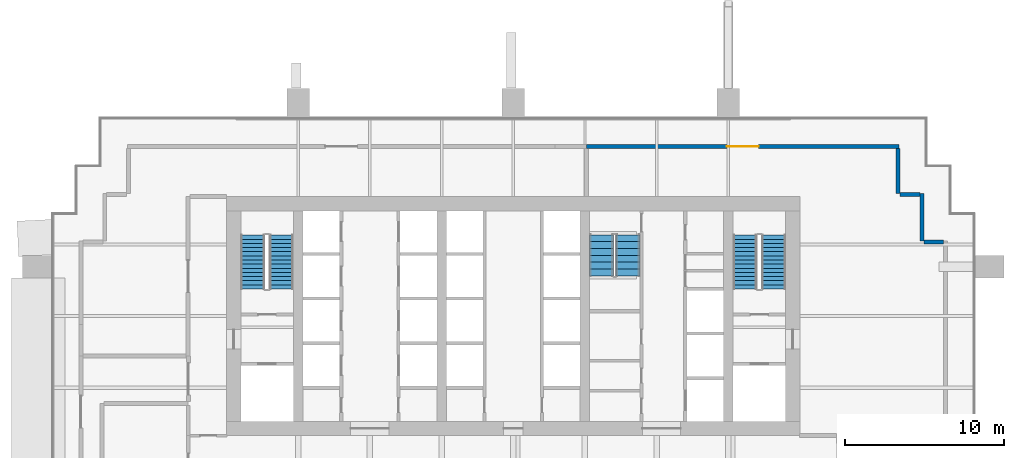
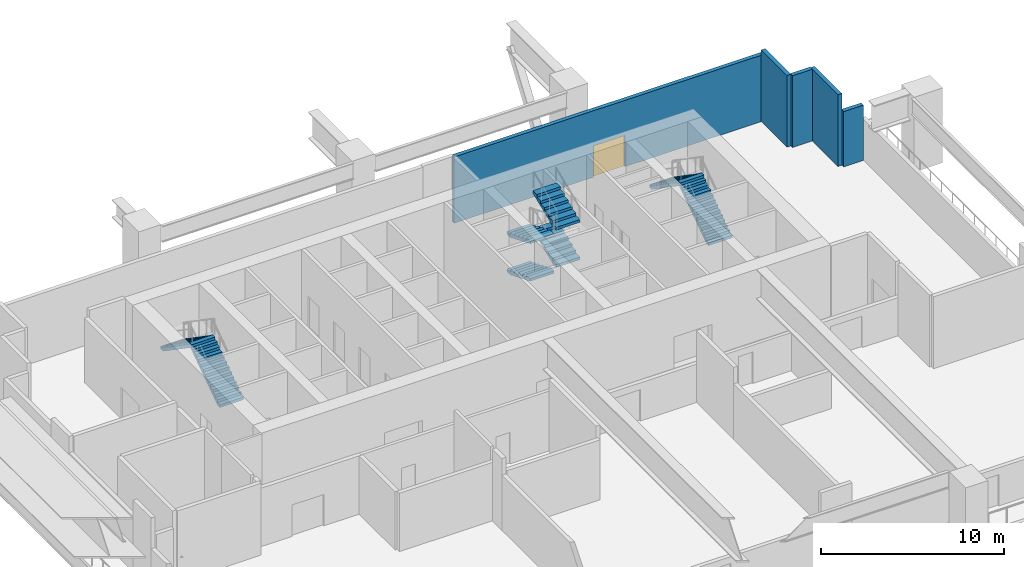
# One storey, part 5 of 9: 8 stair flights, 5 walls, 1 door, 1 opening, 3 elements without a shape of their own.
"""IFC4 building model written with IfcOpenShell, lengths in metres."""

from ifc_helpers import new_model, si_unit, direction, frame, frame_2d, origin, place, context, subcontext, project, spatial, polyline, rectangle, outline, extrude, material, layer, layer_set, type_object, element, fill, aggregate, save


model = new_model("IFC4")

# Units and contexts
model_context = context("Model", 3, precision=1e-05, world=origin(), true_north=direction((0.0, 1.0)))
body_context = subcontext(model_context, "Body", "Model", "MODEL_VIEW")
ifc_project = project(units=[si_unit("LENGTHUNIT", "METRE"), si_unit("AREAUNIT", "SQUARE_METRE"), si_unit("VOLUMEUNIT", "CUBIC_METRE"), si_unit("PLANEANGLEUNIT", "RADIAN"), si_unit("MASSUNIT", "GRAM", prefix="KILO")], contexts=[model_context])

# Site, building, storey
site_placement = place(None, origin())
site = spatial("IfcSite", under=ifc_project, at=site_placement, CompositionType="ELEMENT")
building_placement = place(site_placement, origin())
building = spatial("IfcBuilding", under=site, at=building_placement, Name="Rattan Terrace Tower", CompositionType="ELEMENT")
storey_placement = place(building_placement, frame((0.0, 0.0, 158.10009765625)))
storey = spatial("IfcBuildingStorey", under=building, at=storey_placement, Name="L36", CompositionType="ELEMENT", Elevation=158.10009765625)

# Wall, opening, door
ifc_material_1 = material(Name="Reinforced concrete wall, painted", Category="concrete")
ifc_layer = layer(ifc_material_1, 0.25)
ifc_layer_set = layer_set([ifc_layer], Name="Floors Refuge Wall 250")
wall_type = type_object("IfcWallType", Name="Floors Refuge Wall 250", PredefinedType="PARTITIONING", material=ifc_layer_set)
wall_1_placement = place(storey_placement, frame((24.199951171875, 10.638916015625, 0.0), z_axis=(0.0, 0.0, 1.0), x_axis=(-1.0, 0.0, 0.0)))
wall_1 = element("IfcWall", 1, at=wall_1_placement, inside=storey, type_object=wall_type, Name="pt-L36-061", PredefinedType="PARTITIONING", context=body_context, shape_type="SweptSolid", body=[
    extrude(rectangle(XDim=19.599853515625, YDim=0.25, at=frame_2d((9.7998046875, 0.0))), origin(), (0.0, 0.0, 1.0), 4.43994140625),
])
opening_placement = place(wall_1_placement, frame((8.800048828125, 0.0, 0.0)))
opening = element("IfcOpeningElement", 2, at=opening_placement, cuts=wall_1, Name="Opening L36-D116", PredefinedType="OPENING", context=body_context, shape_type="SweptSolid", body=[
    extrude(rectangle(XDim=2.0, YDim=2.10009765625, at=frame_2d((1.0, 1.050048828125))), frame((0.0, 0.135498046875, 0.0), z_axis=(0.0, -1.0, 0.0), x_axis=(1.0, 0.0, 0.0)), (0.0, 0.0, 1.0), 0.27099609375),
])
ifc_material_2 = material(Name="Steel fire door set", Category="steel")
door_type = type_object("IfcDoorType", Name="Floors Plant Equipment Door Pair FD120 2000x2100", OperationType="NOTDEFINED", PredefinedType="DOOR", material=ifc_material_2)
door_placement = place(opening_placement, origin())
door = element("IfcDoor", 3, at=door_placement, inside=storey, type_object=door_type, Name="d-L36-116", OperationType="DOUBLE_DOOR_SINGLE_SWING", OverallHeight=2.10009765625, OverallWidth=2.0, PredefinedType="DOOR", context=body_context, shape_type="SweptSolid", body=[
    extrude(rectangle(XDim=2.0, YDim=2.10009765625, at=frame_2d((1.0, 1.050048828125))), frame((0.0, 0.02490234375, 0.0), z_axis=(0.0, -1.0, 0.0), x_axis=(1.0, 0.0, 0.0)), (0.0, 0.0, 1.0), 0.050048828125),
])
fill(opening, door)

# Walls
wall_2_placement = place(storey_placement, frame((24.138916015625, 10.513916015625, 0.0), z_axis=(0.0, 0.0, 1.0), x_axis=(0.0, -1.0, 0.0)))
element("IfcWall", 4, at=wall_2_placement, inside=storey, type_object=wall_type, Name="pt-L36-062", PredefinedType="PARTITIONING", context=body_context, shape_type="SweptSolid", body=[
    extrude(rectangle(XDim=2.81396484375, YDim=0.25, at=frame_2d((1.406982421875, 0.0))), origin(), (0.0, 0.0, 1.0), 4.7998046875),
])
wall_3_placement = place(storey_placement, frame((24.263916015625, 7.638916015625, 0.0), z_axis=(0.0, 0.0, 1.0), x_axis=(1.0, 0.0, 0.0)))
element("IfcWall", 5, at=wall_3_placement, inside=storey, type_object=wall_type, Name="pt-L36-063", PredefinedType="PARTITIONING", context=body_context, shape_type="SweptSolid", body=[
    extrude(rectangle(XDim=1.25, YDim=0.25, at=frame_2d((0.625, 0.0))), origin(), (0.0, 0.0, 1.0), 4.7998046875),
])
wall_4_placement = place(storey_placement, frame((25.638916015625, 7.699951171875, 0.0), z_axis=(0.0, 0.0, 1.0), x_axis=(0.0, -1.0, 0.0)))
element("IfcWall", 6, at=wall_4_placement, inside=storey, type_object=wall_type, Name="pt-L36-064", PredefinedType="PARTITIONING", context=body_context, shape_type="SweptSolid", body=[
    extrude(rectangle(XDim=3.0, YDim=0.25, at=frame_2d((1.5, 0.0))), origin(), (0.0, 0.0, 1.0), 4.7998046875),
])
wall_5_placement = place(storey_placement, frame((25.763916015625, 4.638916015625, 0.0), z_axis=(0.0, 0.0, 1.0), x_axis=(1.0, 0.0, 0.0)))
element("IfcWall", 7, at=wall_5_placement, inside=storey, type_object=wall_type, Name="pt-L36-065", PredefinedType="PARTITIONING", context=body_context, shape_type="SweptSolid", body=[
    extrude(rectangle(XDim=1.2490234375, YDim=0.25, at=frame_2d((0.62451171875, 0.0))), origin(), (0.0, 0.0, 1.0), 3.699951171875),
])

# Stair, stair flights
ifc_material_3 = material(Name="Concrete C40/50", Category="concrete")
stair_type = type_object("IfcStairType", Name="Core exit stair 1500", PredefinedType="HALF_TURN_STAIR", material=ifc_material_3)
stair_1_placement = place(storey_placement, origin())
stair_1 = element("IfcStair", 8, at=stair_1_placement, inside=storey, type_object=stair_type, Name="L36 exit stair 1", PredefinedType="HALF_TURN_STAIR")
ifc_material_4 = material(Name="Concrete C40/50", Category="concrete")
stair_flight_type = type_object("IfcStairFlightType", Name="Core exit stair flight 1500", PredefinedType="STRAIGHT", material=ifc_material_4)
stair_flight_1_placement = place(storey_placement, frame((-14.550048828125, 1.699951171875, 0.0), z_axis=(0.0, 0.0, 1.0), x_axis=(0.0, 1.0, 0.0)))
stair_flight_1 = element("IfcStairFlight", 9, at=stair_flight_1_placement, type_object=stair_flight_type, Name="S1 flight 1", NumberOfRisers=14, NumberOfTreads=13, PredefinedType="STRAIGHT", RiserHeight=0.178571429, TreadLength=0.26, context=body_context, shape_type="SweptSolid", body=[
    extrude(outline(polyline([(0.0, 0.0), (0.0, 0.178466796875), (0.260009765625, 0.178466796875), (0.260009765625, 0.357177734375), (0.52001953125, 0.357177734375), (0.52001953125, 0.53564453125), (0.780029296875, 0.53564453125), (0.780029296875, 0.71435546875), (1.0400390625, 0.71435546875), (1.0400390625, 0.892822265625), (1.300048828125, 0.892822265625), (1.300048828125, 1.071533203125), (1.56005859375, 1.071533203125), (1.56005859375, 1.25), (1.820068359375, 1.25), (1.820068359375, 1.428466796875), (2.080078125, 1.428466796875), (2.080078125, 1.607177734375), (2.340087890625, 1.607177734375), (2.340087890625, 1.78564453125), (2.60009765625, 1.78564453125), (2.60009765625, 1.96435546875), (2.860107421875, 1.96435546875), (2.860107421875, 2.142822265625), (3.1201171875, 2.142822265625), (3.1201171875, 2.321533203125), (3.3798828125, 2.321533203125), (3.3798828125, 2.5), (3.3798828125, 2.1396484375), (0.264892578125, 0.0), (0.0, 0.0)])), frame((0.0, 0.75, 0.0), z_axis=(0.0, -1.0, 0.0), x_axis=(1.0, 0.0, 0.0)), (0.0, 0.0, 1.0), 1.5),
])
stair_flight_2_placement = place(storey_placement, frame((-16.35009765625, 5.080078125, 2.5), z_axis=(0.0, 0.0, 1.0), x_axis=(0.0, -1.0, 0.0)))
stair_flight_2 = element("IfcStairFlight", 10, at=stair_flight_2_placement, type_object=stair_flight_type, Name="S1 flight 2", NumberOfRisers=14, NumberOfTreads=13, PredefinedType="STRAIGHT", RiserHeight=0.178571429, TreadLength=0.26, context=body_context, shape_type="SweptSolid", body=[
    extrude(outline(polyline([(0.0, 0.0), (0.0, 0.178466796875), (0.260009765625, 0.178466796875), (0.260009765625, 0.357177734375), (0.52001953125, 0.357177734375), (0.52001953125, 0.53564453125), (0.780029296875, 0.53564453125), (0.780029296875, 0.71435546875), (1.0400390625, 0.71435546875), (1.0400390625, 0.892822265625), (1.300048828125, 0.892822265625), (1.300048828125, 1.071533203125), (1.56005859375, 1.071533203125), (1.56005859375, 1.25), (1.820068359375, 1.25), (1.820068359375, 1.428466796875), (2.080078125, 1.428466796875), (2.080078125, 1.607177734375), (2.340087890625, 1.607177734375), (2.340087890625, 1.78564453125), (2.60009765625, 1.78564453125), (2.60009765625, 1.96435546875), (2.860107421875, 1.96435546875), (2.860107421875, 2.142822265625), (3.1201171875, 2.142822265625), (3.1201171875, 2.321533203125), (3.3798828125, 2.321533203125), (3.3798828125, 2.5), (3.3798828125, 2.1396484375), (0.264892578125, 0.0), (0.0, 0.0)])), frame((0.0, 0.75, 0.0), z_axis=(0.0, -1.0, 0.0), x_axis=(1.0, 0.0, 0.0)), (0.0, 0.0, 1.0), 1.5),
])
aggregate(stair_1, [stair_flight_1, stair_flight_2])

stair_2_placement = place(storey_placement, origin())
stair_2 = element("IfcStair", 11, at=stair_2_placement, inside=storey, type_object=stair_type, Name="L36 exit stair 2", PredefinedType="HALF_TURN_STAIR")
stair_flight_3_placement = place(storey_placement, frame((16.35009765625, 1.699951171875, 0.0), z_axis=(0.0, 0.0, 1.0), x_axis=(0.0, 1.0, 0.0)))
stair_flight_3 = element("IfcStairFlight", 12, at=stair_flight_3_placement, type_object=stair_flight_type, Name="S2 flight 1", NumberOfRisers=14, NumberOfTreads=13, PredefinedType="STRAIGHT", RiserHeight=0.178571429, TreadLength=0.26, context=body_context, shape_type="SweptSolid", body=[
    extrude(outline(polyline([(0.0, 0.0), (0.0, 0.178466796875), (0.260009765625, 0.178466796875), (0.260009765625, 0.357177734375), (0.52001953125, 0.357177734375), (0.52001953125, 0.53564453125), (0.780029296875, 0.53564453125), (0.780029296875, 0.71435546875), (1.0400390625, 0.71435546875), (1.0400390625, 0.892822265625), (1.300048828125, 0.892822265625), (1.300048828125, 1.071533203125), (1.56005859375, 1.071533203125), (1.56005859375, 1.25), (1.820068359375, 1.25), (1.820068359375, 1.428466796875), (2.080078125, 1.428466796875), (2.080078125, 1.607177734375), (2.340087890625, 1.607177734375), (2.340087890625, 1.78564453125), (2.60009765625, 1.78564453125), (2.60009765625, 1.96435546875), (2.860107421875, 1.96435546875), (2.860107421875, 2.142822265625), (3.1201171875, 2.142822265625), (3.1201171875, 2.321533203125), (3.3798828125, 2.321533203125), (3.3798828125, 2.5), (3.3798828125, 2.1396484375), (0.264892578125, 0.0), (0.0, 0.0)])), frame((0.0, 0.75, 0.0), z_axis=(0.0, -1.0, 0.0), x_axis=(1.0, 0.0, 0.0)), (0.0, 0.0, 1.0), 1.5),
])
stair_flight_4_placement = place(storey_placement, frame((14.550048828125, 5.080078125, 2.5), z_axis=(0.0, 0.0, 1.0), x_axis=(0.0, -1.0, 0.0)))
stair_flight_4 = element("IfcStairFlight", 13, at=stair_flight_4_placement, type_object=stair_flight_type, Name="S2 flight 2", NumberOfRisers=14, NumberOfTreads=13, PredefinedType="STRAIGHT", RiserHeight=0.178571429, TreadLength=0.26, context=body_context, shape_type="SweptSolid", body=[
    extrude(outline(polyline([(0.0, 0.0), (0.0, 0.178466796875), (0.260009765625, 0.178466796875), (0.260009765625, 0.357177734375), (0.52001953125, 0.357177734375), (0.52001953125, 0.53564453125), (0.780029296875, 0.53564453125), (0.780029296875, 0.71435546875), (1.0400390625, 0.71435546875), (1.0400390625, 0.892822265625), (1.300048828125, 0.892822265625), (1.300048828125, 1.071533203125), (1.56005859375, 1.071533203125), (1.56005859375, 1.25), (1.820068359375, 1.25), (1.820068359375, 1.428466796875), (2.080078125, 1.428466796875), (2.080078125, 1.607177734375), (2.340087890625, 1.607177734375), (2.340087890625, 1.78564453125), (2.60009765625, 1.78564453125), (2.60009765625, 1.96435546875), (2.860107421875, 1.96435546875), (2.860107421875, 2.142822265625), (3.1201171875, 2.142822265625), (3.1201171875, 2.321533203125), (3.3798828125, 2.321533203125), (3.3798828125, 2.5), (3.3798828125, 2.1396484375), (0.264892578125, 0.0), (0.0, 0.0)])), frame((0.0, 0.75, 0.0), z_axis=(0.0, -1.0, 0.0), x_axis=(1.0, 0.0, 0.0)), (0.0, 0.0, 1.0), 1.5),
])
aggregate(stair_2, [stair_flight_3, stair_flight_4])

stair_3_placement = place(storey_placement, origin())
stair_3 = element("IfcStair", 14, at=stair_3_placement, inside=storey, type_object=stair_type, Name="L36 exit stair 3", PredefinedType="HALF_TURN_STAIR")
stair_flight_5_placement = place(storey_placement, frame((5.550048828125, 5.10009765625, 0.0), z_axis=(0.0, 0.0, 1.0), x_axis=(0.0, -1.0, 0.0)))
stair_flight_5 = element("IfcStairFlight", 15, at=stair_flight_5_placement, type_object=stair_flight_type, Name="S3 flight 1", NumberOfRisers=7, NumberOfTreads=6, PredefinedType="STRAIGHT", RiserHeight=0.178571429, TreadLength=0.43, context=body_context, shape_type="SweptSolid", body=[
    extrude(outline(polyline([(0.0, 0.0), (0.0, 0.178466796875), (0.429931640625, 0.178466796875), (0.429931640625, 0.357177734375), (0.860107421875, 0.357177734375), (0.860107421875, 0.53564453125), (1.2900390625, 0.53564453125), (1.2900390625, 0.71435546875), (1.719970703125, 0.71435546875), (1.719970703125, 0.892822265625), (2.14990234375, 0.892822265625), (2.14990234375, 1.071533203125), (2.580078125, 1.071533203125), (2.580078125, 1.25), (2.580078125, 0.9091796875), (0.390869140625, 0.0), (0.0, 0.0)])), frame((0.0, 0.75, 0.0), z_axis=(0.0, -1.0, 0.0), x_axis=(1.0, 0.0, 0.0)), (0.0, 0.0, 1.0), 1.5),
])
stair_flight_6_placement = place(storey_placement, frame((7.199951171875, 2.52001953125, 1.25), z_axis=(0.0, 0.0, 1.0), x_axis=(0.0, 1.0, 0.0)))
stair_flight_6 = element("IfcStairFlight", 16, at=stair_flight_6_placement, type_object=stair_flight_type, Name="S3 flight 2", NumberOfRisers=7, NumberOfTreads=6, PredefinedType="STRAIGHT", RiserHeight=0.178571429, TreadLength=0.43, context=body_context, shape_type="SweptSolid", body=[
    extrude(outline(polyline([(0.0, 0.0), (0.0, 0.178466796875), (0.429931640625, 0.178466796875), (0.429931640625, 0.357177734375), (0.860107421875, 0.357177734375), (0.860107421875, 0.53564453125), (1.2900390625, 0.53564453125), (1.2900390625, 0.71435546875), (1.719970703125, 0.71435546875), (1.719970703125, 0.892822265625), (2.14990234375, 0.892822265625), (2.14990234375, 1.071533203125), (2.580078125, 1.071533203125), (2.580078125, 1.25), (2.580078125, 0.9091796875), (0.390869140625, 0.0), (0.0, 0.0)])), frame((0.0, 0.75, 0.0), z_axis=(0.0, -1.0, 0.0), x_axis=(1.0, 0.0, 0.0)), (0.0, 0.0, 1.0), 1.5),
])
stair_flight_7_placement = place(storey_placement, frame((5.550048828125, 5.10009765625, 2.5), z_axis=(0.0, 0.0, 1.0), x_axis=(0.0, -1.0, 0.0)))
stair_flight_7 = element("IfcStairFlight", 17, at=stair_flight_7_placement, type_object=stair_flight_type, Name="S3 flight 3", NumberOfRisers=7, NumberOfTreads=6, PredefinedType="STRAIGHT", RiserHeight=0.178571429, TreadLength=0.43, context=body_context, shape_type="SweptSolid", body=[
    extrude(outline(polyline([(0.0, 0.0), (0.0, 0.178466796875), (0.429931640625, 0.178466796875), (0.429931640625, 0.357177734375), (0.860107421875, 0.357177734375), (0.860107421875, 0.53564453125), (1.2900390625, 0.53564453125), (1.2900390625, 0.71435546875), (1.719970703125, 0.71435546875), (1.719970703125, 0.892822265625), (2.14990234375, 0.892822265625), (2.14990234375, 1.071533203125), (2.580078125, 1.071533203125), (2.580078125, 1.25), (2.580078125, 0.9091796875), (0.390869140625, 0.0), (0.0, 0.0)])), frame((0.0, 0.75, 0.0), z_axis=(0.0, -1.0, 0.0), x_axis=(1.0, 0.0, 0.0)), (0.0, 0.0, 1.0), 1.5),
])
stair_flight_8_placement = place(storey_placement, frame((7.199951171875, 2.52001953125, 3.75), z_axis=(0.0, 0.0, 1.0), x_axis=(0.0, 1.0, 0.0)))
stair_flight_8 = element("IfcStairFlight", 18, at=stair_flight_8_placement, type_object=stair_flight_type, Name="S3 flight 4", NumberOfRisers=7, NumberOfTreads=6, PredefinedType="STRAIGHT", RiserHeight=0.178571429, TreadLength=0.43, context=body_context, shape_type="SweptSolid", body=[
    extrude(outline(polyline([(0.0, 0.0), (0.0, 0.178466796875), (0.429931640625, 0.178466796875), (0.429931640625, 0.357177734375), (0.860107421875, 0.357177734375), (0.860107421875, 0.53564453125), (1.2900390625, 0.53564453125), (1.2900390625, 0.71435546875), (1.719970703125, 0.71435546875), (1.719970703125, 0.892822265625), (2.14990234375, 0.892822265625), (2.14990234375, 1.071533203125), (2.580078125, 1.071533203125), (2.580078125, 1.25), (2.580078125, 0.9091796875), (0.390869140625, 0.0), (0.0, 0.0)])), frame((0.0, 0.75, 0.0), z_axis=(0.0, -1.0, 0.0), x_axis=(1.0, 0.0, 0.0)), (0.0, 0.0, 1.0), 1.5),
])
aggregate(stair_3, [stair_flight_5, stair_flight_6, stair_flight_7, stair_flight_8])

save(model, "model.ifc")
